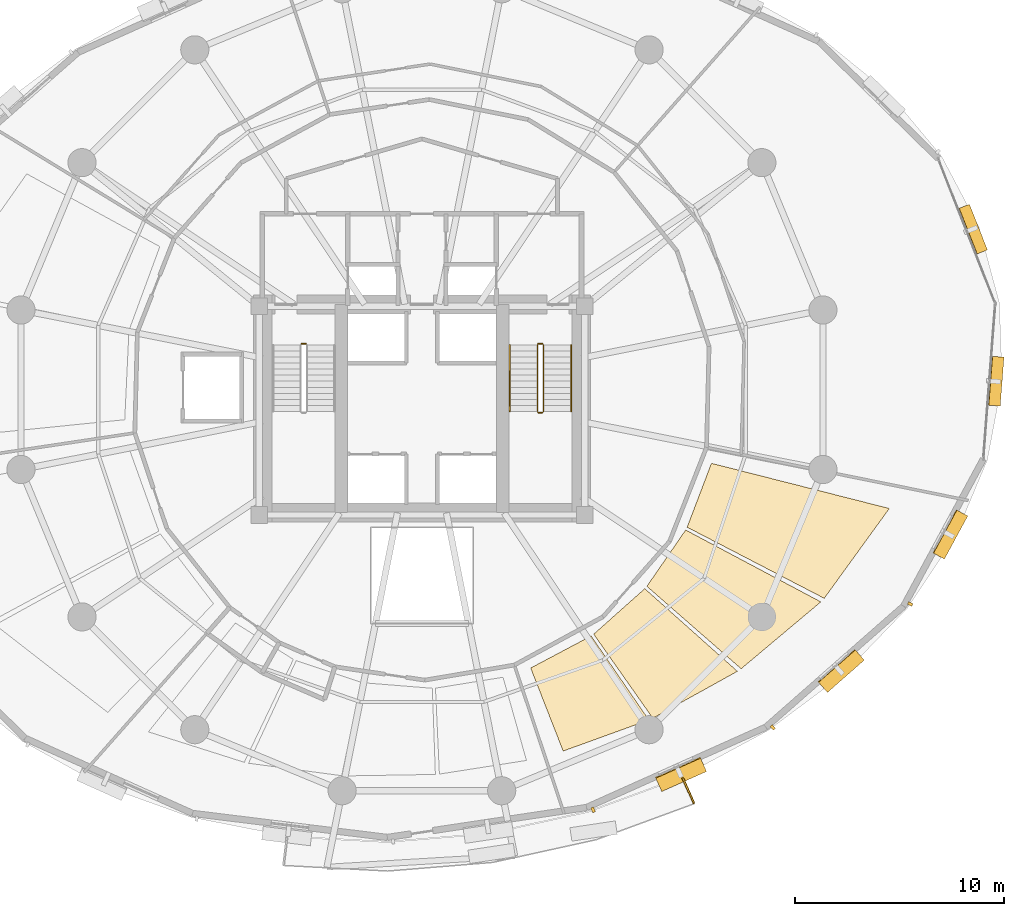
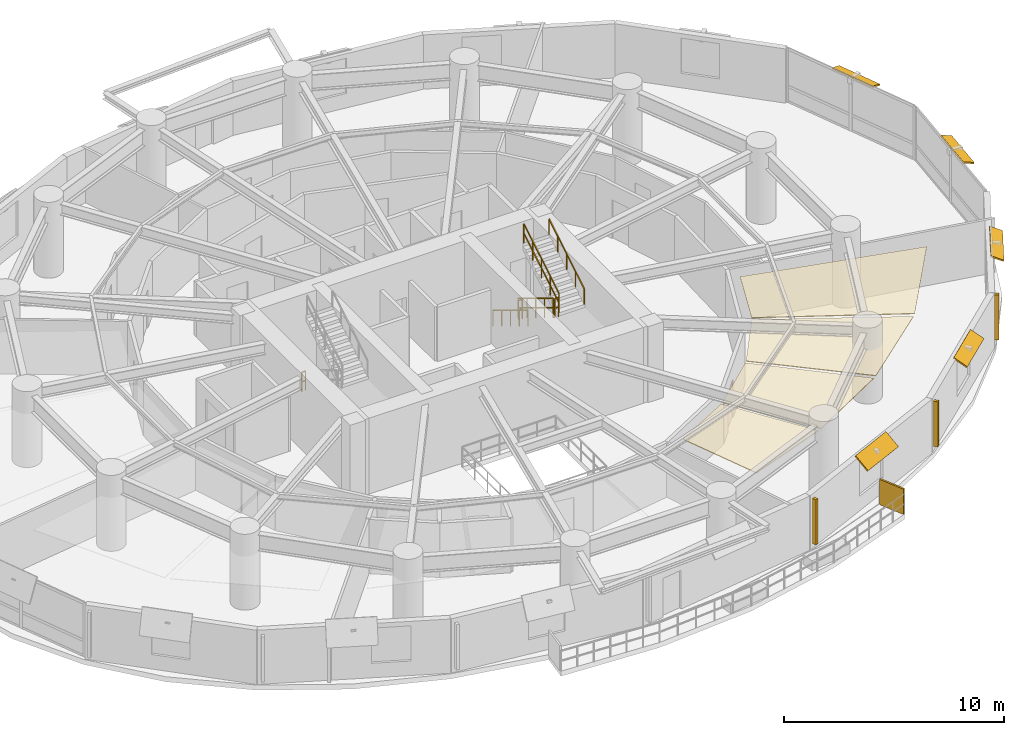
# One storey, part 16 of 17: 9 shading devices, 7 railings, 4 coverings.
"""IFC4 building model written with IfcOpenShell, lengths in metres."""

from ifc_helpers import new_model, si_unit, direction, frame, origin, origin_2d, place, context, subcontext, project, spatial, polyline, rectangle, outline, extrude, material, layer, layer_set, type_object, element, save


model = new_model("IFC4")

# Units and contexts
model_context = context("Model", 3, precision=1e-05, world=origin(), true_north=direction((0.0, 1.0)))
body_context = subcontext(model_context, "Body", "Model", "MODEL_VIEW")
ifc_project = project(units=[si_unit("LENGTHUNIT", "METRE"), si_unit("AREAUNIT", "SQUARE_METRE"), si_unit("VOLUMEUNIT", "CUBIC_METRE"), si_unit("PLANEANGLEUNIT", "RADIAN"), si_unit("MASSUNIT", "GRAM", prefix="KILO"), si_unit("THERMODYNAMICTEMPERATUREUNIT", "KELVIN"), si_unit("POWERUNIT", "WATT")], contexts=[model_context])

# Site, building, storey
site_placement = place(None, origin())
site = spatial("IfcSite", under=ifc_project, at=site_placement, CompositionType="ELEMENT")
building_placement = place(site_placement, origin())
building = spatial("IfcBuilding", under=site, at=building_placement, Name="Ocrelia Relay Tower", CompositionType="ELEMENT")
storey_placement = place(building_placement, frame((0.0, 0.0, 67.800048828125)))
storey = spatial("IfcBuildingStorey", under=building, at=storey_placement, Name="L15", CompositionType="ELEMENT", Elevation=67.800048828125)

# Coverings
ifc_material_1 = material(Name="Cleanroom metal-pan acoustic ceiling", Category="aluminium")
ifc_layer_1 = layer(ifc_material_1, 0.0400390625, Name="Cleanroom metal-pan acoustic ceiling")
ifc_layer_set_1 = layer_set([ifc_layer_1], Name="Cleanroom metal-pan acoustic ceiling")
covering_type = type_object("IfcCoveringType", Name="COV-CEIL-CLEAN", PredefinedType="CEILING", material=ifc_layer_set_1)
covering_1_placement = place(storey_placement, frame((0.0, 0.0, 2.919921875)))
element("IfcCovering", 1, at=covering_1_placement, inside=storey, type_object=covering_type, Name="L15 Colocation Data Hall A Suspended Ceiling 1", PredefinedType="CEILING", context=body_context, shape_type="SweptSolid", body=[
    extrude(outline(polyline([(39.21337890625, 12.66259765625), (40.770751953125, 8.678466796875), (44.880859375, 10.168212890625), (42.11083984375, 14.198486328125), (39.21337890625, 12.66259765625)])), origin(), (0.0, 0.0, 1.0), 0.0400390625),
])
covering_2_placement = place(storey_placement, frame((0.0, 0.0, 2.919921875)))
element("IfcCovering", 2, at=covering_2_placement, inside=storey, type_object=covering_type, Name="L15 Colocation Data Hall A Suspended Ceiling 2", PredefinedType="CEILING", context=body_context, shape_type="SweptSolid", body=[
    extrude(outline(polyline([(42.234130859375, 14.2841796875), (45.067626953125, 10.252197265625), (49.12255859375, 12.502685546875), (44.68359375, 16.464599609375), (42.234130859375, 14.2841796875)])), origin(), (0.0, 0.0, 1.0), 0.0400390625),
])
covering_3_placement = place(storey_placement, frame((0.0, 0.0, 2.919921875)))
element("IfcCovering", 3, at=covering_3_placement, inside=storey, type_object=covering_type, Name="L15 Colocation Data Hall A Suspended Ceiling 3", PredefinedType="CEILING", context=body_context, shape_type="SweptSolid", body=[
    extrude(outline(polyline([(44.78271484375, 16.576904296875), (49.304443359375, 12.62548828125), (53.12451171875, 15.831298828125), (46.643798828125, 19.277099609375), (44.78271484375, 16.576904296875)])), origin(), (0.0, 0.0, 1.0), 0.0400390625),
])
covering_4_placement = place(storey_placement, frame((0.0, 0.0, 2.919921875)))
element("IfcCovering", 4, at=covering_4_placement, inside=storey, type_object=covering_type, Name="L15 Colocation Data Hall A Suspended Ceiling 4", PredefinedType="CEILING", context=body_context, shape_type="SweptSolid", body=[
    extrude(outline(polyline([(46.71337890625, 19.409912109375), (53.28759765625, 16.002197265625), (56.407470703125, 20.30908203125), (47.87939453125, 22.47509765625), (46.71337890625, 19.409912109375)])), origin(), (0.0, 0.0, 1.0), 0.0400390625),
])

# Railings
ifc_material_2 = material(Name="Steel S355 balustrade", Category="steel")
railing_type_1 = type_object("IfcRailingType", Name="RL-STAIR-GUARD", PredefinedType="GUARDRAIL", material=ifc_material_2)
railing_1_placement = place(storey_placement, frame((28.22998046875, 28.199951171875, 0.0)))
element("IfcRailing", 5, at=railing_1_placement, inside=storey, type_object=railing_type_1, Name="L15 ST1 stair guard 4", PredefinedType="GUARDRAIL", context=body_context, shape_type="SweptSolid", body=[
    extrude(rectangle(XDim=0.048095703125, YDim=0.048095703125, at=origin_2d()), frame((0.0, 0.0, 1.076171875), z_axis=(1.0, 0.0, 0.0), x_axis=(0.0, 1.0, 0.0)), (0.0, 0.0, 1.0), 0.199951171875),
    extrude(rectangle(XDim=0.048095703125, YDim=0.048095703125, at=origin_2d()), frame((0.0, 0.0, 0.550048828125), z_axis=(1.0, 0.0, 0.0), x_axis=(0.0, 1.0, 0.0)), (0.0, 0.0, 1.0), 0.199951171875),
    extrude(rectangle(XDim=0.0419921875, YDim=0.0419921875, at=origin_2d()), origin(), (0.0, 0.0, 1.0), 1.052001953125),
    extrude(rectangle(XDim=0.0419921875, YDim=0.0419921875, at=origin_2d()), frame((0.199951171875, 0.0, 0.0)), (0.0, 0.0, 1.0), 1.052001953125),
])
railing_2_placement = place(storey_placement, frame((39.530029296875, 28.14990234375, 0.175048828125)))
element("IfcRailing", 6, at=railing_2_placement, inside=storey, type_object=railing_type_1, Name="L15 ST2 stair guard 1", PredefinedType="GUARDRAIL", context=body_context, shape_type="SweptSolid", body=[
    extrude(rectangle(XDim=0.048095703125, YDim=0.048095703125, at=origin_2d()), frame((0.0, 0.0, 1.076171875), z_axis=(0.0, -0.856206652436, 0.516633495163), x_axis=(1.0, 0.0, 0.0)), (0.0, 0.0, 1.0), 3.7255859375),
    extrude(rectangle(XDim=0.048095703125, YDim=0.048095703125, at=origin_2d()), frame((0.0, 0.0, 0.550048828125), z_axis=(0.0, -0.856206652436, 0.516633495163), x_axis=(1.0, 0.0, 0.0)), (0.0, 0.0, 1.0), 3.7255859375),
    extrude(rectangle(XDim=0.0419921875, YDim=0.0419921875, at=origin_2d()), origin(), (0.0, 0.0, 1.0), 1.052001953125),
    extrude(rectangle(XDim=0.0419921875, YDim=0.0419921875, at=origin_2d()), frame((0.0, -0.79736328125, 0.481201171875)), (0.0, 0.0, 1.0), 1.052001953125),
    extrude(rectangle(XDim=0.0419921875, YDim=0.0419921875, at=origin_2d()), frame((0.0, -1.594970703125, 0.96240234375)), (0.0, 0.0, 1.0), 1.052001953125),
    extrude(rectangle(XDim=0.0419921875, YDim=0.0419921875, at=origin_2d()), frame((0.0, -2.392578125, 1.443603515625)), (0.0, 0.0, 1.0), 1.052001953125),
    extrude(rectangle(XDim=0.0419921875, YDim=0.0419921875, at=origin_2d()), frame((0.0, -3.18994140625, 1.9248046875)), (0.0, 0.0, 1.0), 1.052001953125),
])
railing_3_placement = place(storey_placement, frame((39.580078125, 24.909912109375, 2.099853515625)))
element("IfcRailing", 7, at=railing_3_placement, inside=storey, type_object=railing_type_1, Name="L15 ST2 stair guard 2", PredefinedType="GUARDRAIL", context=body_context, shape_type="SweptSolid", body=[
    extrude(rectangle(XDim=0.048095703125, YDim=0.048095703125, at=origin_2d()), frame((0.0, 0.0, 1.076171875), z_axis=(1.0, 0.0, 0.0), x_axis=(0.0, 1.0, 0.0)), (0.0, 0.0, 1.0), 0.199951171875),
    extrude(rectangle(XDim=0.048095703125, YDim=0.048095703125, at=origin_2d()), frame((0.0, 0.0, 0.550048828125), z_axis=(1.0, 0.0, 0.0), x_axis=(0.0, 1.0, 0.0)), (0.0, 0.0, 1.0), 0.199951171875),
    extrude(rectangle(XDim=0.0419921875, YDim=0.0419921875, at=origin_2d()), origin(), (0.0, 0.0, 1.0), 1.052001953125),
    extrude(rectangle(XDim=0.0419921875, YDim=0.0419921875, at=origin_2d()), frame((0.199951171875, 0.0, 0.0)), (0.0, 0.0, 1.0), 1.052001953125),
])
railing_4_placement = place(storey_placement, frame((39.830078125, 24.9599609375, 2.27490234375)))
element("IfcRailing", 8, at=railing_4_placement, inside=storey, type_object=railing_type_1, Name="L15 ST2 stair guard 3", PredefinedType="GUARDRAIL", context=body_context, shape_type="SweptSolid", body=[
    extrude(rectangle(XDim=0.048095703125, YDim=0.048095703125, at=origin_2d()), frame((0.0, 0.0, 1.076171875), z_axis=(0.0, 0.856177665481, 0.516681531633), x_axis=(-1.0, 0.0, 0.0)), (0.0, 0.0, 1.0), 3.725830078125),
    extrude(rectangle(XDim=0.048095703125, YDim=0.048095703125, at=origin_2d()), frame((0.0, 0.0, 0.550048828125), z_axis=(0.0, 0.856177665481, 0.516681531633), x_axis=(-1.0, 0.0, 0.0)), (0.0, 0.0, 1.0), 3.725830078125),
    extrude(rectangle(XDim=0.0419921875, YDim=0.0419921875, at=origin_2d()), origin(), (0.0, 0.0, 1.0), 1.052001953125),
    extrude(rectangle(XDim=0.0419921875, YDim=0.0419921875, at=origin_2d()), frame((0.0, 0.79736328125, 0.481201171875)), (0.0, 0.0, 1.0), 1.052001953125),
    extrude(rectangle(XDim=0.0419921875, YDim=0.0419921875, at=origin_2d()), frame((0.0, 1.594970703125, 0.96240234375)), (0.0, 0.0, 1.0), 1.052001953125),
    extrude(rectangle(XDim=0.0419921875, YDim=0.0419921875, at=origin_2d()), frame((0.0, 2.392578125, 1.44384765625)), (0.0, 0.0, 1.0), 1.052001953125),
    extrude(rectangle(XDim=0.0419921875, YDim=0.0419921875, at=origin_2d()), frame((0.0, 3.18994140625, 1.925048828125)), (0.0, 0.0, 1.0), 1.052001953125),
])
railing_5_placement = place(storey_placement, frame((39.580078125, 28.199951171875, 0.0)))
element("IfcRailing", 9, at=railing_5_placement, inside=storey, type_object=railing_type_1, Name="L15 ST2 stair guard 4", PredefinedType="GUARDRAIL", context=body_context, shape_type="SweptSolid", body=[
    extrude(rectangle(XDim=0.048095703125, YDim=0.048095703125, at=origin_2d()), frame((0.0, 0.0, 1.076171875), z_axis=(1.0, 0.0, 0.0), x_axis=(0.0, 1.0, 0.0)), (0.0, 0.0, 1.0), 0.199951171875),
    extrude(rectangle(XDim=0.048095703125, YDim=0.048095703125, at=origin_2d()), frame((0.0, 0.0, 0.550048828125), z_axis=(1.0, 0.0, 0.0), x_axis=(0.0, 1.0, 0.0)), (0.0, 0.0, 1.0), 0.199951171875),
    extrude(rectangle(XDim=0.0419921875, YDim=0.0419921875, at=origin_2d()), origin(), (0.0, 0.0, 1.0), 1.052001953125),
    extrude(rectangle(XDim=0.0419921875, YDim=0.0419921875, at=origin_2d()), frame((0.199951171875, 0.0, 0.0)), (0.0, 0.0, 1.0), 1.052001953125),
])
ifc_material_3 = material(Name="Steel S355 tubular handrail", Category="steel")
railing_type_2 = type_object("IfcRailingType", Name="RL-STAIR-HAND", PredefinedType="HANDRAIL", material=ifc_material_3)
railing_6_placement = place(storey_placement, frame((38.2099609375, 28.14990234375, 0.175048828125)))
element("IfcRailing", 10, at=railing_6_placement, inside=storey, type_object=railing_type_2, Name="L15 ST2 stair handrail 1", PredefinedType="HANDRAIL", context=body_context, shape_type="SweptSolid", body=[
    extrude(rectangle(XDim=0.048095703125, YDim=0.048095703125, at=origin_2d()), frame((0.0, 0.0, 0.8759765625), z_axis=(0.0, -0.856206652436, 0.516633495163), x_axis=(1.0, 0.0, 0.0)), (0.0, 0.0, 1.0), 3.7255859375),
    extrude(rectangle(XDim=0.0419921875, YDim=0.0419921875, at=origin_2d()), origin(), (0.0, 0.0, 1.0), 0.851806640625),
    extrude(rectangle(XDim=0.0419921875, YDim=0.0419921875, at=origin_2d()), frame((0.0, -0.79736328125, 0.481201171875)), (0.0, 0.0, 1.0), 0.851806640625),
    extrude(rectangle(XDim=0.0419921875, YDim=0.0419921875, at=origin_2d()), frame((0.0, -1.594970703125, 0.96240234375)), (0.0, 0.0, 1.0), 0.851806640625),
    extrude(rectangle(XDim=0.0419921875, YDim=0.0419921875, at=origin_2d()), frame((0.0, -2.392578125, 1.443603515625)), (0.0, 0.0, 1.0), 0.851806640625),
    extrude(rectangle(XDim=0.0419921875, YDim=0.0419921875, at=origin_2d()), frame((0.0, -3.18994140625, 1.9248046875)), (0.0, 0.0, 1.0), 0.851806640625),
])
railing_7_placement = place(storey_placement, frame((41.14990234375, 24.9599609375, 2.27490234375)))
element("IfcRailing", 11, at=railing_7_placement, inside=storey, type_object=railing_type_2, Name="L15 ST2 stair handrail 2", PredefinedType="HANDRAIL", context=body_context, shape_type="SweptSolid", body=[
    extrude(rectangle(XDim=0.048095703125, YDim=0.048095703125, at=origin_2d()), frame((0.0, 0.0, 0.8759765625), z_axis=(0.0, 0.856177665481, 0.516681531633), x_axis=(-1.0, 0.0, 0.0)), (0.0, 0.0, 1.0), 3.725830078125),
    extrude(rectangle(XDim=0.0419921875, YDim=0.0419921875, at=origin_2d()), origin(), (0.0, 0.0, 1.0), 0.851806640625),
    extrude(rectangle(XDim=0.0419921875, YDim=0.0419921875, at=origin_2d()), frame((0.0, 0.79736328125, 0.481201171875)), (0.0, 0.0, 1.0), 0.851806640625),
    extrude(rectangle(XDim=0.0419921875, YDim=0.0419921875, at=origin_2d()), frame((0.0, 1.594970703125, 0.96240234375)), (0.0, 0.0, 1.0), 0.851806640625),
    extrude(rectangle(XDim=0.0419921875, YDim=0.0419921875, at=origin_2d()), frame((0.0, 2.392578125, 1.44384765625)), (0.0, 0.0, 1.0), 0.851806640625),
    extrude(rectangle(XDim=0.0419921875, YDim=0.0419921875, at=origin_2d()), frame((0.0, 3.18994140625, 1.925048828125)), (0.0, 0.0, 1.0), 0.851806640625),
])

# Shading devices
ifc_material_4 = material(Name="Perforated oxide terracotta solar screen", Category="masonry")
ifc_layer_2 = layer(ifc_material_4, 0.090087890625, Name="Perforated oxide terracotta solar screen")
ifc_layer_set_2 = layer_set([ifc_layer_2], Name="Perforated oxide terracotta solar screen")
shading_device_type_1 = type_object("IfcShadingDeviceType", Name="SH-BALC-SCREEN", PredefinedType="USERDEFINED", material=ifc_layer_set_2)
shading_device_1_placement = place(storey_placement, frame((46.77197265625, 6.781982421875, 0.0), z_axis=(0.0, 0.0, 1.0), x_axis=(0.410122967839, -0.91203023593, 0.0)))
element("IfcShadingDevice", 12, at=shading_device_1_placement, inside=storey, type_object=shading_device_type_1, Name="L15 Balcony Perforated Terracotta Screen B2-2", ObjectType="SCREEN", PredefinedType="USERDEFINED", context=body_context, shape_type="SweptSolid", body=[
    extrude(rectangle(XDim=1.340087890625, YDim=0.090087890625, at=origin_2d()), origin(), (0.0, 0.0, 1.0), 1.39990234375),
])
ifc_material_5 = material(Name="Extruded oxide terracotta vertical baguette", Category="masonry")
shading_device_type_2 = type_object("IfcShadingDeviceType", Name="SH-TERR-BAGUETTE", PredefinedType="USERDEFINED", material=ifc_material_5)
for number, where, z_axis, x_axis, name in (
    (13, (42.20556640625, 5.862548828125, 0.25), (0.0, 0.0, 1.0), (0.912604412346, 0.408843719001, 0.0), "L15 Oxide Terracotta Vertical Baguette 15"),
    (14, (50.820068359375, 9.810791015625, 0.25), (0.0, 0.0, 1.0), (0.751410930015, 0.659834535512, 0.0), "L15 Oxide Terracotta Vertical Baguette 16"),
    (15, (57.41162109375, 15.728515625, 0.25), (0.0, 0.0, 1.0), (0.476377522101, 0.879240840974, 0.0), "L15 Oxide Terracotta Vertical Baguette 17"),
):
    element("IfcShadingDevice", number, at=place(storey_placement, frame(where, z_axis=z_axis, x_axis=x_axis)), inside=storey, type_object=shading_device_type_2, Name=name, ObjectType="BAGUETTE", PredefinedType="USERDEFINED", context=body_context, shape_type="SweptSolid", body=[
        extrude(rectangle(XDim=0.139892578125, YDim=0.239990234375, at=origin_2d()), origin(), (0.0, 0.0, 1.0), 2.5),
    ])
ifc_material_6 = material(Name="Extruded oxide terracotta fin", Category="masonry")
ifc_layer_3 = layer(ifc_material_6, 0.080078125, Name="Extruded oxide terracotta fin")
ifc_layer_set_3 = layer_set([ifc_layer_3], Name="Extruded oxide terracotta fin")
shading_device_type_3 = type_object("IfcShadingDeviceType", Name="SH-VISOR-FIN-MED", PredefinedType="USERDEFINED", material=ifc_layer_set_3)
shading_device_2_placement = place(storey_placement, frame((46.408203125, 7.58349609375, 2.808349609375), z_axis=(0.253168706408, -0.565112946093, 0.785208866642), x_axis=(0.912604412346, 0.408843719001, 0.0)))
element("IfcShadingDevice", 16, at=shading_device_2_placement, inside=storey, type_object=shading_device_type_3, Name="L15 Canted Terracotta Sun-Visor Fin 15", ObjectType="FIN", PredefinedType="USERDEFINED", context=body_context, shape_type="SweptSolid", body=[
    extrude(rectangle(XDim=2.35009765625, YDim=0.887939453125, at=origin_2d()), origin(), (0.0, 0.0, 1.0), 0.080078125),
])
ifc_layer_4 = layer(ifc_material_6, 0.080078125, Name="Extruded oxide terracotta fin")
ifc_layer_set_4 = layer_set([ifc_layer_4], Name="Extruded oxide terracotta fin")
shading_device_type_4 = type_object("IfcShadingDeviceType", Name="SH-VISOR-FIN-SHAL", PredefinedType="USERDEFINED", material=ifc_layer_set_4)
shading_device_3_placement = place(storey_placement, frame((60.41162109375, 33.694091796875, 2.8017578125), z_axis=(0.291815242555, 0.115009141862, 0.949535023841), x_axis=(-0.366666983645, 0.930352257537, 0.0)))
element("IfcShadingDevice", 17, at=shading_device_3_placement, inside=storey, type_object=shading_device_type_4, Name="L15 Canted Terracotta Sun-Visor Fin 01", ObjectType="FIN", PredefinedType="USERDEFINED", context=body_context, shape_type="SweptSolid", body=[
    extrude(rectangle(XDim=2.35009765625, YDim=0.554931640625, at=origin_2d()), origin(), (0.0, 0.0, 1.0), 0.080078125),
])
shading_device_4_placement = place(storey_placement, frame((54.084228515625, 12.535888671875, 2.804931640625), z_axis=(0.325819763628, -0.371039280955, 0.86958112538), x_axis=(0.751410930015, 0.659834535512, 0.0)))
element("IfcShadingDevice", 18, at=shading_device_4_placement, inside=storey, type_object=shading_device_type_4, Name="L15 Canted Terracotta Sun-Visor Fin 16", ObjectType="FIN", PredefinedType="USERDEFINED", context=body_context, shape_type="SweptSolid", body=[
    extrude(rectangle(XDim=2.35009765625, YDim=0.742919921875, at=origin_2d()), origin(), (0.0, 0.0, 1.0), 0.080078125),
])
shading_device_5_placement = place(storey_placement, frame((59.31982421875, 19.071044921875, 2.80322265625), z_axis=(0.353408901175, -0.191478885857, 0.91566259334), x_axis=(0.476377522101, 0.879240840974, 0.0)))
element("IfcShadingDevice", 19, at=shading_device_5_placement, inside=storey, type_object=shading_device_type_4, Name="L15 Canted Terracotta Sun-Visor Fin 17", ObjectType="FIN", PredefinedType="USERDEFINED", context=body_context, shape_type="SweptSolid", body=[
    extrude(rectangle(XDim=2.35009765625, YDim=0.64501953125, at=origin_2d()), origin(), (0.0, 0.0, 1.0), 0.080078125),
])
shading_device_6_placement = place(storey_placement, frame((61.513671875, 26.412353515625, 2.80224609375), z_axis=(0.342642268317, -0.026424640876, 0.939094252095), x_axis=(0.076891882558, 0.997039436731, 0.0)))
element("IfcShadingDevice", 20, at=shading_device_6_placement, inside=storey, type_object=shading_device_type_4, Name="L15 Canted Terracotta Sun-Visor Fin 18", ObjectType="FIN", PredefinedType="USERDEFINED", context=body_context, shape_type="SweptSolid", body=[
    extrude(rectangle(XDim=2.35009765625, YDim=0.5849609375, at=origin_2d()), origin(), (0.0, 0.0, 1.0), 0.080078125),
])

save(model, "model.ifc")
